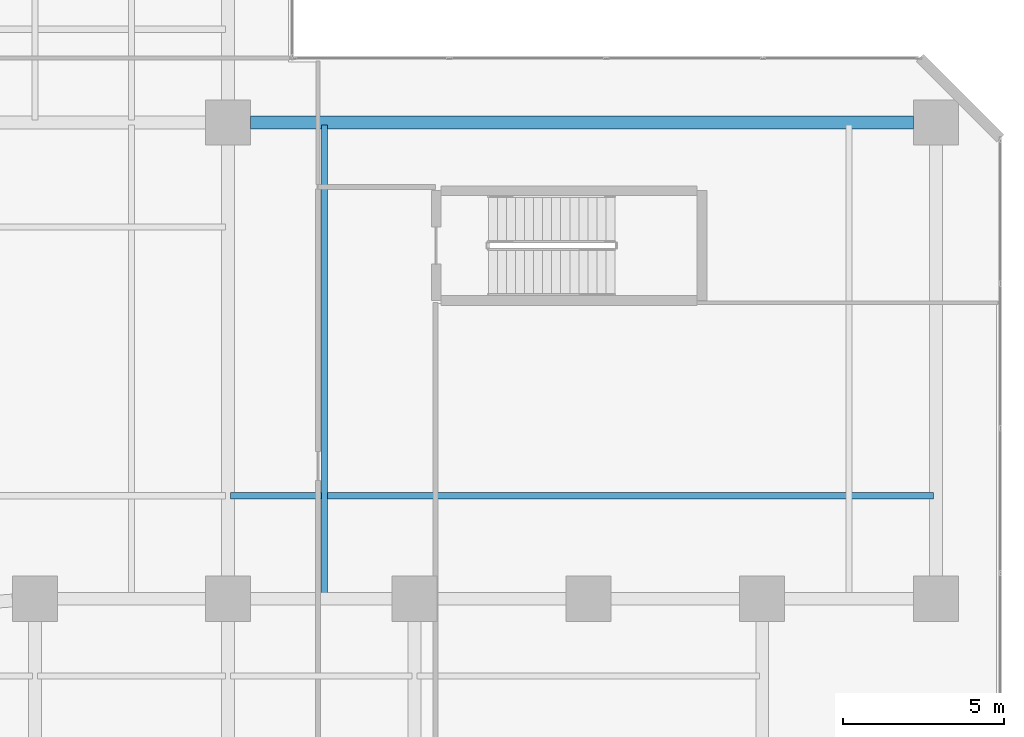
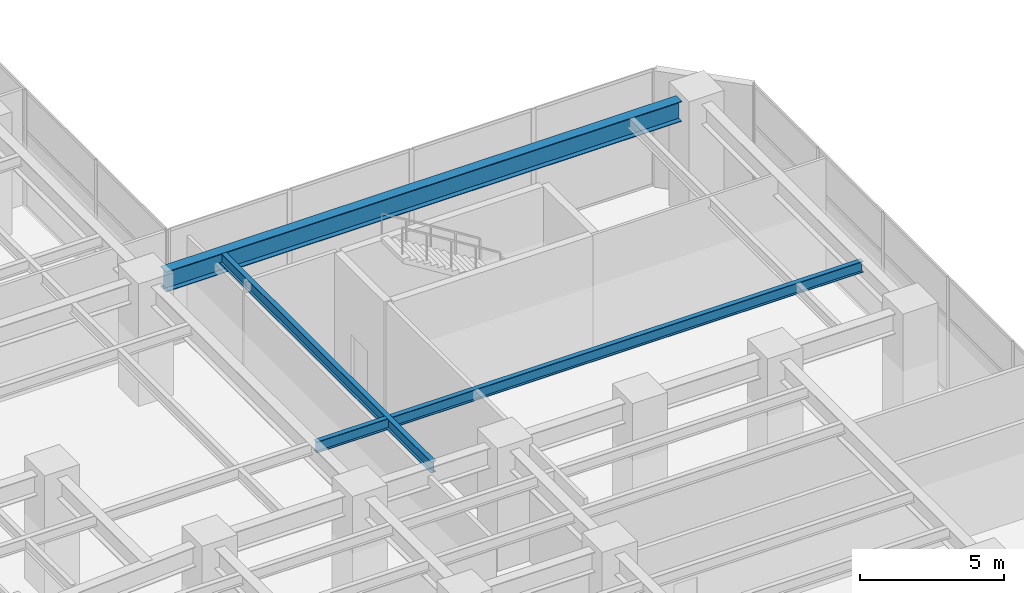
# One storey, part 10 of 29: 3 beams.
"""IFC4 building model written with IfcOpenShell, lengths in metres."""

from ifc_helpers import new_model, si_unit, direction, frame, origin, origin_2d, place, context, subcontext, project, spatial, i_section, extrude, material, material_profile, profile_set, type_object, element, save


model = new_model("IFC4")

# Units and contexts
model_context = context("Model", 3, precision=1e-05, world=origin(), true_north=direction((0.0, 1.0)))
body_context = subcontext(model_context, "Body", "Model", "MODEL_VIEW")
ifc_project = project(units=[si_unit("LENGTHUNIT", "METRE"), si_unit("AREAUNIT", "SQUARE_METRE"), si_unit("VOLUMEUNIT", "CUBIC_METRE"), si_unit("PLANEANGLEUNIT", "RADIAN"), si_unit("MASSUNIT", "GRAM", prefix="KILO")], contexts=[model_context])

# Site, building, storey
site_placement = place(None, origin())
site = spatial("IfcSite", under=ifc_project, at=site_placement, CompositionType="ELEMENT")
building_placement = place(site_placement, origin())
building = spatial("IfcBuilding", under=site, at=building_placement, Name="Mawjaban Terraces University", CompositionType="ELEMENT")
storey_placement = place(building_placement, frame((0.0, 0.0, 15.60009765625)))
storey = spatial("IfcBuildingStorey", under=building, at=storey_placement, Name="L03", CompositionType="ELEMENT", Elevation=15.60009765625)

# Beams
ifc_material = material(Name="Steel ASTM A572 Grade 50", Category="steel")
ifc_material_profile_1 = material_profile(ifc_material, i_section(OverallWidth=0.39990234375, OverallDepth=0.85498046875, WebThickness=0.018310546875, FlangeThickness=0.029296875, at=origin_2d()), Name="W840X299")
ifc_profile_set_1 = profile_set([ifc_material_profile_1], Name="Steel ASTM A572 Grade 50")
beam_type_1 = type_object("IfcBeamType", Name="Beam_B_W840X299", PredefinedType="BEAM", material=ifc_profile_set_1)
beam_1_placement = place(storey_placement, frame((52.699951171875, 30.0, 4.492919921875), z_axis=(1.0, 0.0, 0.0), x_axis=(0.0, 1.0, 0.0)))
element("IfcBeam", 1, at=beam_1_placement, inside=storey, type_object=beam_type_1, Name="L03 Beam BM-L03-EW-14", PredefinedType="BEAM", context=body_context, shape_type="SweptSolid", body=[
    extrude(i_section(OverallWidth=0.39990234375, OverallDepth=0.85498046875, WebThickness=0.018310546875, FlangeThickness=0.029296875, at=origin_2d()), origin(), (0.0, 0.0, 1.0), 20.60009765625),
])
ifc_material_profile_2 = material_profile(ifc_material, i_section(OverallWidth=0.194091796875, OverallDepth=0.468994140625, WebThickness=0.011474609375, FlangeThickness=0.0205078125, at=origin_2d()), Name="W460X106")
ifc_profile_set_2 = profile_set([ifc_material_profile_2], Name="Steel ASTM A572 Grade 50")
beam_type_2 = type_object("IfcBeamType", Name="Beam_J_W460X106", PredefinedType="JOIST", material=ifc_profile_set_2)
beam_2_placement = place(storey_placement, frame((52.080078125, 18.39990234375, 4.684814453125), z_axis=(1.0, 0.0, 0.0), x_axis=(0.0, 1.0, 0.0)))
element("IfcBeam", 2, at=beam_2_placement, inside=storey, type_object=beam_type_2, Name="L03 Composite Joist JST-L03-17", PredefinedType="JOIST", context=body_context, shape_type="SweptSolid", body=[
    extrude(i_section(OverallWidth=0.194091796875, OverallDepth=0.468994140625, WebThickness=0.011474609375, FlangeThickness=0.0205078125, at=origin_2d()), origin(), (0.0, 0.0, 1.0), 21.83984375),
])
beam_3_placement = place(storey_placement, frame((55.0, 15.280029296875, 4.684814453125), z_axis=(0.0, 1.0, 0.0), x_axis=(-1.0, 0.0, 0.0)))
element("IfcBeam", 3, at=beam_3_placement, inside=storey, type_object=beam_type_2, Name="L03 Composite Joist JST-L03-NS-33", PredefinedType="JOIST", context=body_context, shape_type="SweptSolid", body=[
    extrude(i_section(OverallWidth=0.194091796875, OverallDepth=0.468994140625, WebThickness=0.011474609375, FlangeThickness=0.0205078125, at=origin_2d()), origin(), (0.0, 0.0, 1.0), 14.639892578125),
])

save(model, "model.ifc")
